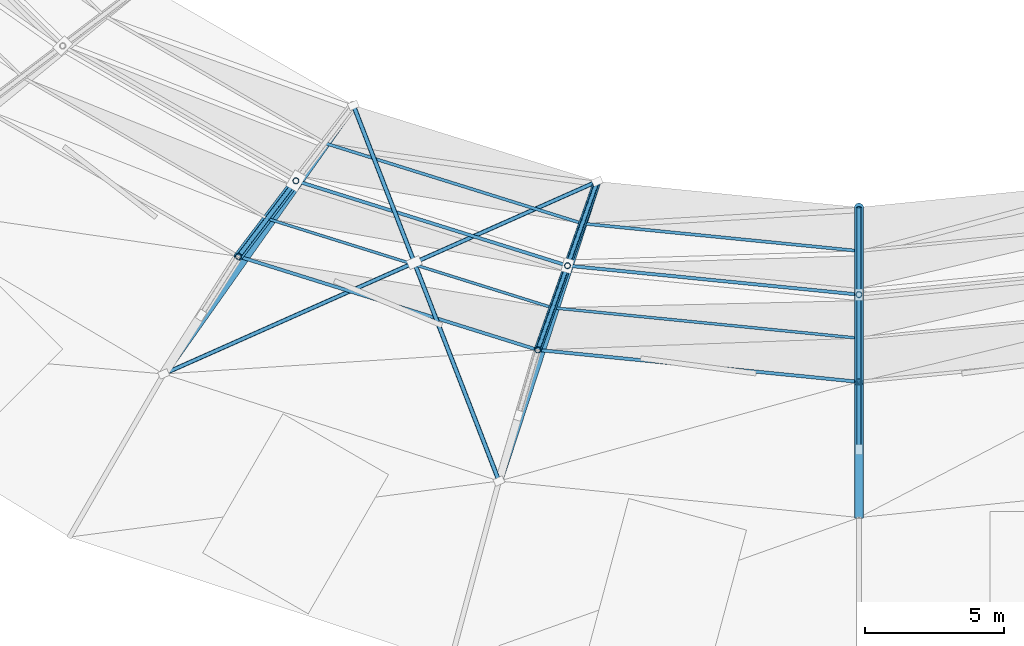
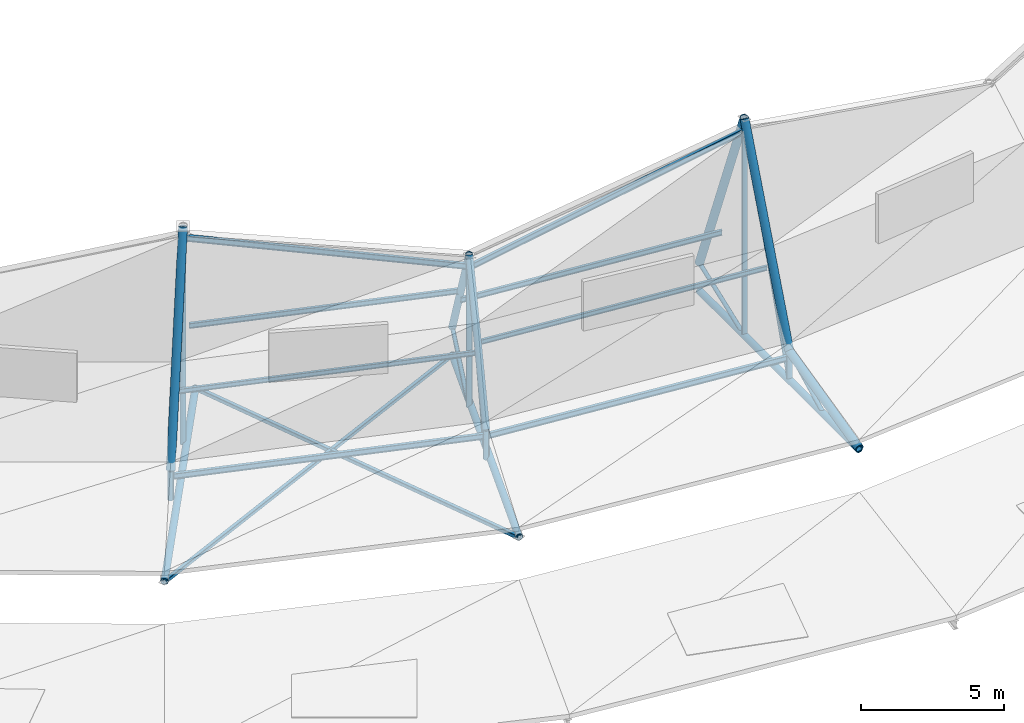
# One storey, part 2 of 36: 29 members, 3 beams.
"""IFC4 building model written with IfcOpenShell, lengths in metres."""

from ifc_helpers import new_model, si_unit, direction, frame, origin, origin_2d, place, context, subcontext, project, spatial, hollow_rectangle, hollow_circle, i_section, extrude, material, material_profile, profile_set, type_object, element, save


model = new_model("IFC4")

# Units and contexts
model_context = context("Model", 3, precision=1e-05, world=origin(), true_north=direction((0.0, 1.0)))
body_context = subcontext(model_context, "Body", "Model", "MODEL_VIEW")
ifc_project = project(units=[si_unit("LENGTHUNIT", "METRE"), si_unit("AREAUNIT", "SQUARE_METRE"), si_unit("VOLUMEUNIT", "CUBIC_METRE"), si_unit("PLANEANGLEUNIT", "RADIAN"), si_unit("MASSUNIT", "GRAM", prefix="KILO")], contexts=[model_context])

# Site, building, storey
site_placement = place(None, origin())
site = spatial("IfcSite", under=ifc_project, at=site_placement, CompositionType="ELEMENT")
building_placement = place(site_placement, origin())
building = spatial("IfcBuilding", under=site, at=building_placement, Name="Kildeholm Park Wholesale Market", CompositionType="ELEMENT")
storey_placement = place(building_placement, frame((0.0, 0.0, 17.39990234375)))
storey = spatial("IfcBuildingStorey", under=building, at=storey_placement, Name="Roof", CompositionType="ELEMENT", Elevation=17.39990234375)

# Beams
ifc_material = material(Name="Steel S355", Category="steel")
ifc_material_profile_1 = material_profile(ifc_material, hollow_circle(Radius=0.136474609375, WallThickness=0.01611328125, at=origin_2d()), Name="CHS 273x16")
ifc_profile_set_1 = profile_set([ifc_material_profile_1], Name="Steel S355")
beam_type = type_object("IfcBeamType", Name="Beam B-T01 CHS 273x16", PredefinedType="BEAM", material=ifc_profile_set_1)
beam_1_placement = place(storey_placement, frame((73.89990234375, 55.985107421875, -4.6298828125), z_axis=(0.576894674263, 0.816818544603, 0.0), x_axis=(-0.816818544603, 0.576894674263, 0.0)))
element("IfcBeam", 1, at=beam_1_placement, inside=storey, type_object=beam_type, Name="Beam BM-V1-TIE-16 BM-0320", PredefinedType="BEAM", context=body_context, shape_type="SweptSolid", body=[
    extrude(hollow_circle(Radius=0.136474609375, WallThickness=0.01611328125, at=origin_2d()), origin(), (0.0, 0.0, 1.0), 11.8740234375),
])
beam_2_placement = place(storey_placement, frame((86.007080078125, 52.118896484375, -4.6298828125), z_axis=(0.31146940438, 0.950256181319, 0.0), x_axis=(-0.950256181319, 0.31146940438, 0.0)))
element("IfcBeam", 2, at=beam_2_placement, inside=storey, type_object=beam_type, Name="Beam BM-V1-TIE-17 BM-0326", PredefinedType="BEAM", context=body_context, shape_type="SweptSolid", body=[
    extrude(hollow_circle(Radius=0.136474609375, WallThickness=0.01611328125, at=origin_2d()), origin(), (0.0, 0.0, 1.0), 11.384521484375),
])
beam_3_placement = place(storey_placement, frame((99.0, 50.800048828125, -4.6298828125), z_axis=(0.0, 1.0, 0.0), x_axis=(-1.0, 0.0, 0.0)))
element("IfcBeam", 3, at=beam_3_placement, inside=storey, type_object=beam_type, Name="Beam BM-V1-TIE-18 BM-0332", PredefinedType="BEAM", context=body_context, shape_type="SweptSolid", body=[
    extrude(hollow_circle(Radius=0.136474609375, WallThickness=0.01611328125, at=origin_2d()), origin(), (0.0, 0.0, 1.0), 11.199951171875),
])

# Members
ifc_material_profile_2 = material_profile(ifc_material, i_section(OverallWidth=0.10009765625, OverallDepth=0.199951171875, WebThickness=0.005615234375, FlangeThickness=0.008544921875, FilletRadius=0.011962890625, at=origin_2d()), Name="IPE 200")
ifc_profile_set_2 = profile_set([ifc_material_profile_2], Name="Steel S355")
member_type_1 = type_object("IfcMemberType", Name="Member PR-01 IPE 200", PredefinedType="PURLIN", material=ifc_profile_set_2)
member_1_placement = place(storey_placement, frame((77.637451171875, 61.592041015625, -1.205078125), z_axis=(0.954510153273, -0.298178415213, 0.0), x_axis=(0.298178415213, 0.954510153273, 0.0)))
element("IfcMember", 4, at=member_1_placement, inside=storey, type_object=member_type_1, Name="Member PR-V1-MDO-16 MEM-0215", PredefinedType="PURLIN", context=body_context, shape_type="SweptSolid", body=[
    extrude(i_section(OverallWidth=0.10009765625, OverallDepth=0.199951171875, WebThickness=0.005615234375, FlangeThickness=0.008544921875, FilletRadius=0.011962890625, at=origin_2d()), origin(), (0.0, 0.0, 1.0), 10.79541015625),
])
member_2_placement = place(storey_placement, frame((87.94189453125, 58.373046875, -0.78271484375), z_axis=(0.995105258288, -0.098820670548, 0.0), x_axis=(0.098820670548, 0.995105258288, 0.0)))
element("IfcMember", 5, at=member_2_placement, inside=storey, type_object=member_type_1, Name="Member PR-V1-MDO-17 MEM-0230", PredefinedType="PURLIN", context=body_context, shape_type="SweptSolid", body=[
    extrude(i_section(OverallWidth=0.10009765625, OverallDepth=0.199951171875, WebThickness=0.005615234375, FlangeThickness=0.008544921875, FilletRadius=0.011962890625, at=origin_2d()), origin(), (0.0, 0.0, 1.0), 11.112548828125),
])
ifc_material_profile_3 = material_profile(ifc_material, i_section(OverallWidth=0.1201171875, OverallDepth=0.239990234375, WebThickness=0.006103515625, FlangeThickness=0.009765625, FilletRadius=0.014892578125, at=origin_2d()), Name="IPE 240")
ifc_profile_set_3 = profile_set([ifc_material_profile_3], Name="Steel S355")
member_type_2 = type_object("IfcMemberType", Name="Member PR-02 IPE 240", PredefinedType="PURLIN", material=ifc_profile_set_3)
member_3_placement = place(storey_placement, frame((76.60009765625, 60.22802734375, -3.651123046875), z_axis=(0.95449417592, -0.298229556107, 0.0), x_axis=(0.298229556107, 0.95449417592, 0.0)))
element("IfcMember", 6, at=member_3_placement, inside=storey, type_object=member_type_2, Name="Member PR-V1-STP2-16 MEM-0213", PredefinedType="PURLIN", context=body_context, shape_type="SweptSolid", body=[
    extrude(i_section(OverallWidth=0.1201171875, OverallDepth=0.239990234375, WebThickness=0.006103515625, FlangeThickness=0.009765625, FilletRadius=0.014892578125, at=origin_2d()), origin(), (0.0, 0.0, 1.0), 11.320068359375),
])
member_4_placement = place(storey_placement, frame((78.675048828125, 62.9560546875, 4.172119140625), z_axis=(0.920919634022, -0.287625421468, -0.2630183351), x_axis=(0.298122049898, 0.954527759347, 0.0)))
element("IfcMember", 7, at=member_4_placement, inside=storey, type_object=member_type_2, Name="Member PR-V1-CRWN-16 MEM-0214", PredefinedType="PURLIN", context=body_context, shape_type="SweptSolid", body=[
    extrude(i_section(OverallWidth=0.1201171875, OverallDepth=0.239990234375, WebThickness=0.006103515625, FlangeThickness=0.009765625, FilletRadius=0.014892578125, at=origin_2d()), origin(), (0.0, 0.0, 1.0), 10.645751953125),
])
member_5_placement = place(storey_placement, frame((87.405029296875, 56.85205078125, -3.661865234375), z_axis=(0.995099849345, -0.098875122419, 0.0), x_axis=(0.098875122419, 0.995099849345, 0.0)))
element("IfcMember", 8, at=member_5_placement, inside=storey, type_object=member_type_2, Name="Member PR-V1-STP2-17 MEM-0228", PredefinedType="PURLIN", context=body_context, shape_type="SweptSolid", body=[
    extrude(i_section(OverallWidth=0.1201171875, OverallDepth=0.239990234375, WebThickness=0.006103515625, FlangeThickness=0.009765625, FilletRadius=0.014892578125, at=origin_2d()), origin(), (0.0, 0.0, 1.0), 11.652099609375),
])
member_6_placement = place(storey_placement, frame((88.47900390625, 59.89404296875, 1.327880859375), z_axis=(0.961949605276, -0.095449401591, 0.256012438458), x_axis=(0.098740063557, 0.995113259809, 0.0)))
element("IfcMember", 9, at=member_6_placement, inside=storey, type_object=member_type_2, Name="Member PR-V1-CRWN-17 MEM-0229", PredefinedType="PURLIN", context=body_context, shape_type="SweptSolid", body=[
    extrude(i_section(OverallWidth=0.1201171875, OverallDepth=0.239990234375, WebThickness=0.006103515625, FlangeThickness=0.009765625, FilletRadius=0.014892578125, at=origin_2d()), origin(), (0.0, 0.0, 1.0), 10.937255859375),
])
ifc_material_profile_4 = material_profile(ifc_material, i_section(OverallWidth=0.110107421875, OverallDepth=0.219970703125, WebThickness=0.005859375, FlangeThickness=0.00927734375, FilletRadius=0.011962890625, at=origin_2d()), Name="IPE 220")
ifc_profile_set_4 = profile_set([ifc_material_profile_4], Name="Steel S355")
member_type_3 = type_object("IfcMemberType", Name="Member PR-03 IPE 220", PredefinedType="PURLIN", material=ifc_profile_set_4)
member_7_placement = place(storey_placement, frame((79.71240234375, 64.320068359375, -0.776123046875), z_axis=(0.954563733867, -0.29800684218, 0.0), x_axis=(0.29800684218, 0.954563733867, 0.0)))
element("IfcMember", 10, at=member_7_placement, inside=storey, type_object=member_type_3, Name="Member PR-V1-MDI-16 MEM-0216", PredefinedType="PURLIN", context=body_context, shape_type="SweptSolid", body=[
    extrude(i_section(OverallWidth=0.110107421875, OverallDepth=0.219970703125, WebThickness=0.005859375, FlangeThickness=0.00927734375, FilletRadius=0.011962890625, at=origin_2d()), origin(), (0.0, 0.0, 1.0), 9.74658203125),
])
member_8_placement = place(storey_placement, frame((89.01611328125, 61.41552734375, -1.175048828125), z_axis=(0.995114945582, -0.098723072681, 0.0), x_axis=(0.098723072681, 0.995114945582, 0.0)))
element("IfcMember", 11, at=member_8_placement, inside=storey, type_object=member_type_3, Name="Member PR-V1-MDI-17 MEM-0231", PredefinedType="PURLIN", context=body_context, shape_type="SweptSolid", body=[
    extrude(i_section(OverallWidth=0.110107421875, OverallDepth=0.219970703125, WebThickness=0.005859375, FlangeThickness=0.00927734375, FilletRadius=0.011962890625, at=origin_2d()), origin(), (0.0, 0.0, 1.0), 10.032958984375),
])
ifc_material_profile_5 = material_profile(ifc_material, hollow_circle(Radius=0.084228515625, WallThickness=0.010009765625, at=origin_2d()), Name="CHS 168.3x10")
ifc_profile_set_5 = profile_set([ifc_material_profile_5], Name="Steel S355")
member_type_4 = type_object("IfcMemberType", Name="Member TB-01 CHS 168.3x10", PredefinedType="BRACE", material=ifc_profile_set_5)
member_9_placement = place(storey_placement, frame((76.60009765625, 60.22802734375, -4.6298828125), z_axis=(0.209545726635, 0.275498758609, 0.93818496175), x_axis=(-0.795930166757, 0.605388445254, 0.0)))
element("IfcMember", 12, at=member_9_placement, inside=storey, type_object=member_type_4, Name="Member TR-V1-16-WB2 MEM-0211", PredefinedType="BRACE", context=body_context, shape_type="SweptSolid", body=[
    extrude(hollow_circle(Radius=0.084228515625, WallThickness=0.010009765625, at=origin_2d()), origin(), (0.0, 0.0, 1.0), 9.902099609375),
])
member_10_placement = place(storey_placement, frame((87.405029296875, 56.85205078125, -4.6298828125), z_axis=(0.14818432141, 0.419726448005, 0.895472565595), x_axis=(-0.942958194793, 0.332911163635, 0.0)))
element("IfcMember", 13, at=member_10_placement, inside=storey, type_object=member_type_4, Name="Member TR-V1-17-WB2 MEM-0226", PredefinedType="BRACE", context=body_context, shape_type="SweptSolid", body=[
    extrude(hollow_circle(Radius=0.084228515625, WallThickness=0.010009765625, at=origin_2d()), origin(), (0.0, 0.0, 1.0), 7.24755859375),
])
member_11_placement = place(storey_placement, frame((88.47900390625, 59.89404296875, -4.6298828125), z_axis=(0.312262080305, 0.884754391663, 0.345979854378), x_axis=(-0.942991730323, 0.332816160277, 0.0)))
element("IfcMember", 14, at=member_11_placement, inside=storey, type_object=member_type_4, Name="Member TR-V1-17-WB3 MEM-0227", PredefinedType="BRACE", context=body_context, shape_type="SweptSolid", body=[
    extrude(hollow_circle(Radius=0.084228515625, WallThickness=0.010009765625, at=origin_2d()), origin(), (0.0, 0.0, 1.0), 3.439453125),
])
member_12_placement = place(storey_placement, frame((99.0, 53.25, -4.6298828125), z_axis=(0.0, 0.892229264964, 0.45158270421), x_axis=(-1.0, 0.0, 0.0)))
element("IfcMember", 15, at=member_12_placement, inside=storey, type_object=member_type_4, Name="Member TR-V1-18-WB1 MEM-0237", PredefinedType="BRACE", context=body_context, shape_type="SweptSolid", body=[
    extrude(hollow_circle(Radius=0.084228515625, WallThickness=0.010009765625, at=origin_2d()), origin(), (0.0, 0.0, 1.0), 2.745849609375),
])
member_13_placement = place(storey_placement, frame((99.0, 55.699951171875, -4.6298828125), z_axis=(0.0, 0.321128949369, 0.947035478679), x_axis=(-1.0, 0.0, 0.0)))
element("IfcMember", 16, at=member_13_placement, inside=storey, type_object=member_type_4, Name="Member TR-V1-18-WB2 MEM-0238", PredefinedType="BRACE", context=body_context, shape_type="SweptSolid", body=[
    extrude(hollow_circle(Radius=0.084228515625, WallThickness=0.010009765625, at=origin_2d()), origin(), (0.0, 0.0, 1.0), 9.8095703125),
])
member_14_placement = place(storey_placement, frame((99.0, 58.85009765625, -4.6298828125), z_axis=(0.0, 0.93547422434, 0.353394928649), x_axis=(-1.0, 0.0, 0.0)))
element("IfcMember", 17, at=member_14_placement, inside=storey, type_object=member_type_4, Name="Member TR-V1-18-WB3 MEM-0239", PredefinedType="BRACE", context=body_context, shape_type="SweptSolid", body=[
    extrude(hollow_circle(Radius=0.084228515625, WallThickness=0.010009765625, at=origin_2d()), origin(), (0.0, 0.0, 1.0), 3.3671875),
])
ifc_material_profile_6 = material_profile(ifc_material, hollow_circle(Radius=0.109619140625, WallThickness=0.012451171875, at=origin_2d()), Name="CHS 219.1x12.5")
ifc_profile_set_6 = profile_set([ifc_material_profile_6], Name="Steel S355")
member_type_5 = type_object("IfcMemberType", Name="Member TB-02 CHS 219.1x12.5", PredefinedType="BRACE", material=ifc_profile_set_6)
member_15_placement = place(storey_placement, frame((76.60009765625, 60.22802734375, -4.6298828125), z_axis=(0.0, 0.0, 1.0), x_axis=(1.0, 0.0, 0.0)))
element("IfcMember", 18, at=member_15_placement, inside=storey, type_object=member_type_5, Name="Member TR-V1-16-VT1 MEM-0208", PredefinedType="BRACE", context=body_context, shape_type="SweptSolid", body=[
    extrude(hollow_circle(Radius=0.109619140625, WallThickness=0.012451171875, at=origin_2d()), origin(), (0.0, 0.0, 1.0), 1.239990234375),
])
member_16_placement = place(storey_placement, frame((78.675048828125, 62.9560546875, -4.6298828125), z_axis=(0.0, 0.0, 1.0), x_axis=(1.0, 0.0, 0.0)))
element("IfcMember", 19, at=member_16_placement, inside=storey, type_object=member_type_5, Name="Member TR-V1-16-VT2 MEM-0209", PredefinedType="BRACE", context=body_context, shape_type="SweptSolid", body=[
    extrude(hollow_circle(Radius=0.109619140625, WallThickness=0.012451171875, at=origin_2d()), origin(), (0.0, 0.0, 1.0), 9.2900390625),
])
member_17_placement = place(storey_placement, frame((87.405029296875, 56.85205078125, -4.6298828125), z_axis=(0.0, 0.0, 1.0), x_axis=(1.0, 0.0, 0.0)))
element("IfcMember", 20, at=member_17_placement, inside=storey, type_object=member_type_5, Name="Member TR-V1-17-VT1 MEM-0223", PredefinedType="BRACE", context=body_context, shape_type="SweptSolid", body=[
    extrude(hollow_circle(Radius=0.109619140625, WallThickness=0.012451171875, at=origin_2d()), origin(), (0.0, 0.0, 1.0), 1.239990234375),
])
member_18_placement = place(storey_placement, frame((88.47900390625, 59.89404296875, -4.6298828125), z_axis=(0.0, 0.0, 1.0), x_axis=(1.0, 0.0, 0.0)))
element("IfcMember", 21, at=member_18_placement, inside=storey, type_object=member_type_5, Name="Member TR-V1-17-VT2 MEM-0224", PredefinedType="BRACE", context=body_context, shape_type="SweptSolid", body=[
    extrude(hollow_circle(Radius=0.109619140625, WallThickness=0.012451171875, at=origin_2d()), origin(), (0.0, 0.0, 1.0), 6.489990234375),
])
member_19_placement = place(storey_placement, frame((99.0, 55.699951171875, -4.6298828125), z_axis=(0.0, 0.0, 1.0), x_axis=(1.0, 0.0, 0.0)))
element("IfcMember", 22, at=member_19_placement, inside=storey, type_object=member_type_5, Name="Member TR-V1-18-VT1 MEM-0235", PredefinedType="BRACE", context=body_context, shape_type="SweptSolid", body=[
    extrude(hollow_circle(Radius=0.109619140625, WallThickness=0.012451171875, at=origin_2d()), origin(), (0.0, 0.0, 1.0), 1.239990234375),
])
member_20_placement = place(storey_placement, frame((99.0, 58.85009765625, -4.6298828125), z_axis=(0.0, 0.0, 1.0), x_axis=(1.0, 0.0, 0.0)))
element("IfcMember", 23, at=member_20_placement, inside=storey, type_object=member_type_5, Name="Member TR-V1-18-VT2 MEM-0236", PredefinedType="BRACE", context=body_context, shape_type="SweptSolid", body=[
    extrude(hollow_circle(Radius=0.109619140625, WallThickness=0.012451171875, at=origin_2d()), origin(), (0.0, 0.0, 1.0), 9.2900390625),
])
ifc_material_profile_7 = material_profile(ifc_material, hollow_rectangle(XDim=0.14990234375, YDim=0.14990234375, WallThickness=0.010009765625, InnerFilletRadius=0.010009765625, OuterFilletRadius=0.02001953125, at=origin_2d()), Name="SHS 150x150x10")
ifc_profile_set_7 = profile_set([ifc_material_profile_7], Name="Steel S355")
member_type_6 = type_object("IfcMemberType", Name="Member TB-03 SHS 150x150x10", PredefinedType="BRACE", material=ifc_profile_set_7)
member_21_placement = place(storey_placement, frame((73.89990234375, 55.985107421875, -4.6298828125), z_axis=(0.9139202607, 0.405893775613, 0.0), x_axis=(-0.405893775613, 0.9139202607, 0.0)))
element("IfcMember", 24, at=member_21_placement, inside=storey, type_object=member_type_6, Name="Member BR-V1-RF-16-1 MEM-0217", PredefinedType="BRACE", context=body_context, shape_type="SweptSolid", body=[
    extrude(hollow_rectangle(XDim=0.14990234375, YDim=0.14990234375, WallThickness=0.010009765625, InnerFilletRadius=0.010009765625, OuterFilletRadius=0.02001953125, at=origin_2d()), origin(), (0.0, 0.0, 1.0), 17.12744140625),
])
ifc_material_profile_8 = material_profile(ifc_material, hollow_rectangle(XDim=0.159912109375, YDim=0.159912109375, WallThickness=0.010009765625, InnerFilletRadius=0.010009765625, OuterFilletRadius=0.02001953125, at=origin_2d()), Name="SHS 160x160x10")
ifc_profile_set_8 = profile_set([ifc_material_profile_8], Name="Steel S355")
member_type_7 = type_object("IfcMemberType", Name="Member TB-04 SHS 160x160x10", PredefinedType="BRACE", material=ifc_profile_set_8)
member_22_placement = place(storey_placement, frame((86.007080078125, 52.118896484375, -4.6298828125), z_axis=(-0.361362676392, 0.93242534077, 0.0), x_axis=(-0.93242534077, -0.361362676392, 0.0)))
element("IfcMember", 25, at=member_22_placement, inside=storey, type_object=member_type_7, Name="Member BR-V1-RF-16-2A MEM-0218", PredefinedType="BRACE", context=body_context, shape_type="SweptSolid", body=[
    extrude(hollow_rectangle(XDim=0.159912109375, YDim=0.159912109375, WallThickness=0.010009765625, InnerFilletRadius=0.010009765625, OuterFilletRadius=0.02001953125, at=origin_2d()), origin(), (0.0, 0.0, 1.0), 8.41748046875),
])
member_23_placement = place(storey_placement, frame((82.936279296875, 60.0419921875, -4.6298828125), z_axis=(-0.361316682694, 0.932443164384, 0.0), x_axis=(-0.932443164384, -0.361316682694, 0.0)))
element("IfcMember", 26, at=member_23_placement, inside=storey, type_object=member_type_7, Name="Member BR-V1-RF-16-2B MEM-0219", PredefinedType="BRACE", context=body_context, shape_type="SweptSolid", body=[
    extrude(hollow_rectangle(XDim=0.159912109375, YDim=0.159912109375, WallThickness=0.010009765625, InnerFilletRadius=0.010009765625, OuterFilletRadius=0.02001953125, at=origin_2d()), origin(), (0.0, 0.0, 1.0), 6.05078125),
])
ifc_material_profile_9 = material_profile(ifc_material, hollow_circle(Radius=0.161865234375, WallThickness=0.01611328125, at=origin_2d()), Name="CHS 323.9x16")
ifc_profile_set_9 = profile_set([ifc_material_profile_9], Name="Steel S355")
member_type_8 = type_object("IfcMemberType", Name="Member TC-01 CHS 323.9x16", PredefinedType="CHORD", material=ifc_profile_set_9)
member_24_placement = place(storey_placement, frame((76.60009765625, 60.22802734375, -3.389892578125), z_axis=(0.23715533351, 0.311798293521, 0.920075633818), x_axis=(-0.795930166757, 0.605388445254, 0.0)))
element("IfcMember", 27, at=member_24_placement, inside=storey, type_object=member_type_8, Name="Member TR-V1-16-TC2 MEM-0206", PredefinedType="CHORD", context=body_context, shape_type="SweptSolid", body=[
    extrude(hollow_circle(Radius=0.161865234375, WallThickness=0.01611328125, at=origin_2d()), origin(), (0.0, 0.0, 1.0), 8.749267578125),
])
member_25_placement = place(storey_placement, frame((99.0, 50.800048828125, -4.579833984375), z_axis=(0.0, 0.971755290184, 0.23599079643), x_axis=(-1.0, 0.0, 0.0)))
element("IfcMember", 28, at=member_25_placement, inside=storey, type_object=member_type_8, Name="Member TR-V1-18-TC1 MEM-0232", PredefinedType="CHORD", context=body_context, shape_type="SweptSolid", body=[
    extrude(hollow_circle(Radius=0.161865234375, WallThickness=0.01611328125, at=origin_2d()), origin(), (0.0, 0.0, 1.0), 5.042236328125),
])
member_26_placement = place(storey_placement, frame((99.0, 55.699951171875, -3.389892578125), z_axis=(0.0, 0.36441212709, 0.931237779318), x_axis=(-1.0, 0.0, 0.0)))
element("IfcMember", 29, at=member_26_placement, inside=storey, type_object=member_type_8, Name="Member TR-V1-18-TC2 MEM-0233", PredefinedType="CHORD", context=body_context, shape_type="SweptSolid", body=[
    extrude(hollow_circle(Radius=0.161865234375, WallThickness=0.01611328125, at=origin_2d()), origin(), (0.0, 0.0, 1.0), 8.64453125),
])
member_27_placement = place(storey_placement, frame((99.0, 58.85009765625, 4.66015625), z_axis=(0.0, 0.36243270504, -0.93200994325), x_axis=(-1.0, 0.0, 0.0)))
element("IfcMember", 30, at=member_27_placement, inside=storey, type_object=member_type_8, Name="Member TR-V1-18-TC3 MEM-0234", PredefinedType="CHORD", context=body_context, shape_type="SweptSolid", body=[
    extrude(hollow_circle(Radius=0.161865234375, WallThickness=0.01611328125, at=origin_2d()), origin(), (0.0, 0.0, 1.0), 8.69091796875),
])
ifc_material_profile_10 = material_profile(ifc_material, hollow_circle(Radius=0.136474609375, WallThickness=0.01611328125, at=origin_2d()), Name="CHS 273x16")
ifc_profile_set_10 = profile_set([ifc_material_profile_10], Name="Steel S355")
member_type_9 = type_object("IfcMemberType", Name="Member TC-02 CHS 273x16", PredefinedType="CHORD", material=ifc_profile_set_10)
member_28_placement = place(storey_placement, frame((87.405029296875, 56.85205078125, -3.389892578125), z_axis=(0.174291330852, 0.493673558175, 0.852002904895), x_axis=(-0.942958194793, 0.332911163635, 0.0)))
element("IfcMember", 31, at=member_28_placement, inside=storey, type_object=member_type_9, Name="Member TR-V1-17-TC2 MEM-0221", PredefinedType="CHORD", context=body_context, shape_type="SweptSolid", body=[
    extrude(hollow_circle(Radius=0.136474609375, WallThickness=0.01611328125, at=origin_2d()), origin(), (0.0, 0.0, 1.0), 6.161865234375),
])
member_29_placement = place(storey_placement, frame((88.47900390625, 59.89404296875, 1.860107421875), z_axis=(0.173078593626, 0.490395906104, -0.854140302119), x_axis=(-0.942991730323, 0.332816160277, 0.0)))
element("IfcMember", 32, at=member_29_placement, inside=storey, type_object=member_type_9, Name="Member TR-V1-17-TC3 MEM-0222", PredefinedType="CHORD", context=body_context, shape_type="SweptSolid", body=[
    extrude(hollow_circle(Radius=0.136474609375, WallThickness=0.01611328125, at=origin_2d()), origin(), (0.0, 0.0, 1.0), 6.205078125),
])

save(model, "model.ifc")
